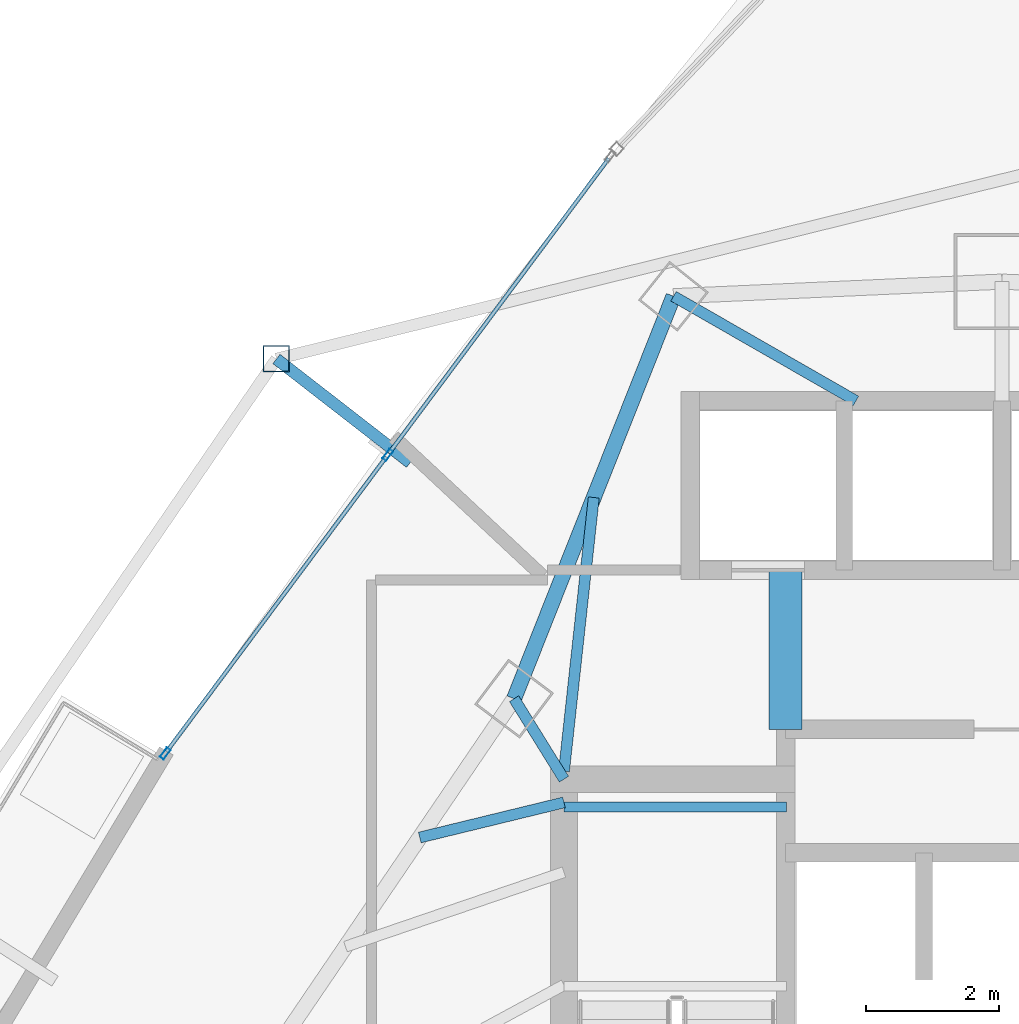
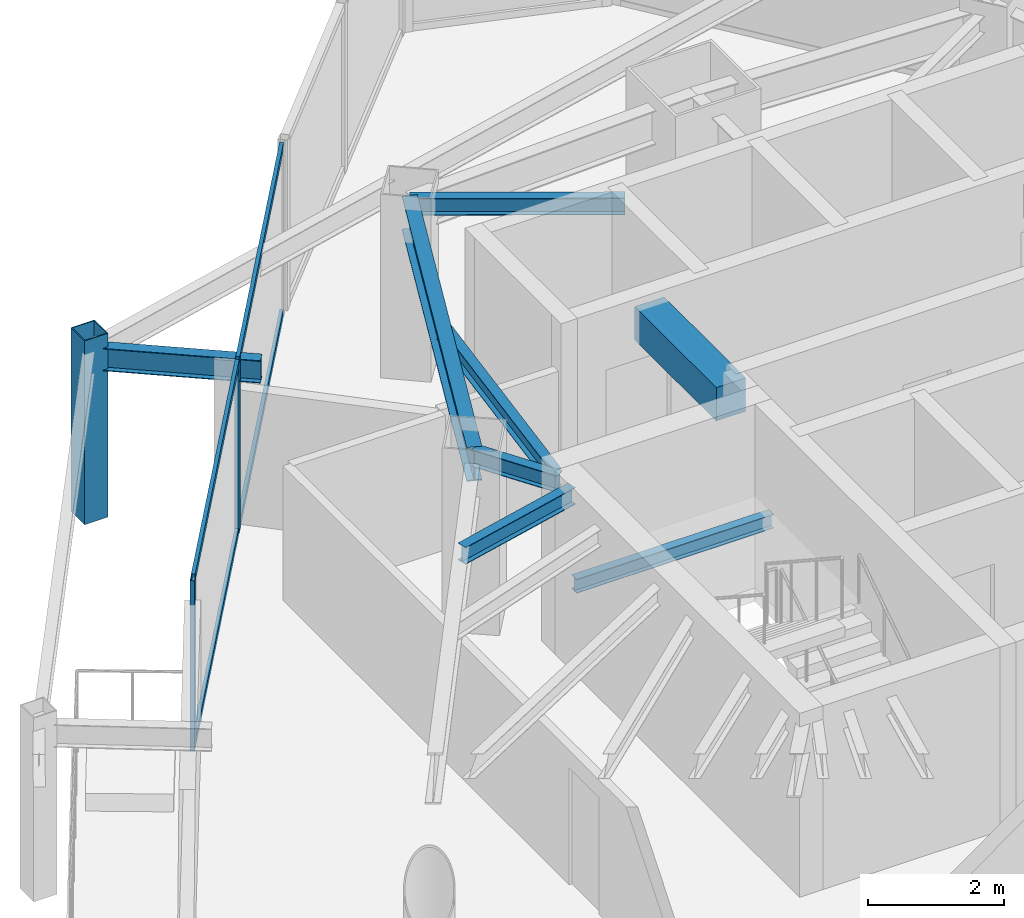
# One storey, part 18 of 30: 8 beams, 7 members, 1 element without a shape of its own.
"""IFC4 building model written with IfcOpenShell, lengths in metres."""

import ifcopenshell
import ifcopenshell.guid

model = None  # the IFC model being written
_history = None  # IfcOwnerHistory: only IFC2X3 demands one
_inside = {}  # id of a spatial element -> (the spatial element, [elements in it])
_under = {}  # id of a project, library or spatial element -> (it, [spatial elements below it])
_declared = {}  # id of a project -> (the project, [libraries it declares])
_typed = {}  # id of a type object -> (the type object, [elements of that type])
_made_of = {}  # id of a material, layer set ... -> (it, [elements and type objects made of it])


def new_model(schema):
    """Start an empty IFC model of exactly this schema.

    Asked for "IFC4X3", IfcOpenShell would pick the latest addendum, in which some entities
    have other attributes; the version numbers below select the first issue.
    IFC2X3 requires an IfcOwnerHistory on every rooted entity: one is made here for all.
    """
    global model, _history
    if schema == "IFC4X3":
        model = ifcopenshell.file(schema_version=(4, 3, 0, 0))
    else:
        model = ifcopenshell.file(schema=schema)
    _inside.clear()
    _under.clear()
    _declared.clear()
    _typed.clear()
    _made_of.clear()
    _history = None
    if model.schema == "IFC2X3":
        org = make("IfcOrganization", Name="unknown")
        user = make(
            "IfcPersonAndOrganization",
            ThePerson=make("IfcPerson", FamilyName="unknown"),
            TheOrganization=org,
        )
        app = make(
            "IfcApplication",
            ApplicationDeveloper=org,
            Version="unknown",
            ApplicationFullName="unknown",
            ApplicationIdentifier="unknown",
        )
        _history = make(
            "IfcOwnerHistory",
            OwningUser=user,
            OwningApplication=app,
            ChangeAction="ADDED",
            CreationDate=0,
        )
    return model


def make(cls, **values):
    """One entity of the class cls with the attributes given. An attribute that is None is left unset."""
    return model.create_entity(
        cls, **{name: value for name, value in values.items() if value is not None}
    )


def rooted(cls, **values):
    """An entity with a GlobalId (a new one), such as an element, a storey or a relation."""
    return make(cls, GlobalId=ifcopenshell.guid.new(), OwnerHistory=_history, **values)


def si_unit(unit_type, name, prefix=None):
    """IfcSIUnit, for example si_unit("LENGTHUNIT", "METRE", prefix="MILLI")."""
    return make("IfcSIUnit", UnitType=unit_type, Prefix=prefix, Name=name)


def assignment(units):
    """IfcUnitAssignment: the units of a project."""
    return None if units is None else make("IfcUnitAssignment", Units=units)


def point(xyz):
    """IfcCartesianPoint."""
    return None if xyz is None else make("IfcCartesianPoint", Coordinates=xyz)


def direction(xyz):
    """IfcDirection."""
    return None if xyz is None else make("IfcDirection", DirectionRatios=xyz)


def frame(location, z_axis=None, x_axis=None):
    """IfcAxis2Placement3D, a coordinate frame: its origin and axes. An axis left out is left unset."""
    return make(
        "IfcAxis2Placement3D",
        Location=point(location),
        Axis=direction(z_axis),
        RefDirection=direction(x_axis),
    )


def frame_2d(location, x_axis=None):
    """IfcAxis2Placement2D, a coordinate frame in the plane: its origin and x axis."""
    return make(
        "IfcAxis2Placement2D", Location=point(location), RefDirection=direction(x_axis)
    )


def origin():
    """The frame at (0, 0, 0) with its axes left unset."""
    return frame((0.0, 0.0, 0.0))


def origin_2d():
    """The frame at (0, 0) in the plane with its x axis left unset."""
    return frame_2d((0.0, 0.0))


def place(relative_to, where):
    """IfcLocalPlacement: puts the frame where relative to a parent placement (None: the world)."""
    return make(
        "IfcLocalPlacement", PlacementRelTo=relative_to, RelativePlacement=where
    )


def context(
    kind, dimensions, precision=None, world=None, true_north=None, identifier=None
):
    """IfcGeometricRepresentationContext, for example the 3D "Model" context."""
    return make(
        "IfcGeometricRepresentationContext",
        ContextIdentifier=identifier,
        ContextType=kind,
        CoordinateSpaceDimension=dimensions,
        Precision=precision,
        WorldCoordinateSystem=world,
        TrueNorth=true_north,
    )


def subcontext(parent, identifier, kind, view, scale=None):
    """IfcGeometricRepresentationSubContext, for example "Body" below "Model"."""
    return make(
        "IfcGeometricRepresentationSubContext",
        ContextIdentifier=identifier,
        ContextType=kind,
        ParentContext=parent,
        TargetScale=scale,
        TargetView=view,
    )


def project(units=None, contexts=None):
    """IfcProject with its units and contexts."""
    return rooted(
        "IfcProject",
        Name="project",
        RepresentationContexts=contexts,
        UnitsInContext=assignment(units),
    )


def spatial(cls, under=None, at=None, **own):
    """A site, building, storey or space (cls), placed at a placement, below another one or the project."""
    s = rooted(cls, ObjectPlacement=at, **own)
    if under is not None:
        _under.setdefault(under.id(), (under, []))[1].append(s)
    return s


def profile(cls, at=None, kind="AREA", **sizes):
    """A parametric profile (cls). Its sizes go by their IFC names, for example OverallWidth=200.0."""
    return make(cls, ProfileType=kind, Position=at, **sizes)


def rectangle(**sizes):
    """IfcRectangleProfileDef."""
    return profile("IfcRectangleProfileDef", **sizes)


def hollow_rectangle(**sizes):
    """IfcRectangleHollowProfileDef."""
    return profile("IfcRectangleHollowProfileDef", **sizes)


def i_section(**sizes):
    """IfcIShapeProfileDef."""
    return profile("IfcIShapeProfileDef", **sizes)


def extrude(swept, where, along, depth):
    """IfcExtrudedAreaSolid: the profile swept, set in the frame where, extruded along a direction by depth."""
    return make(
        "IfcExtrudedAreaSolid",
        SweptArea=swept,
        Position=where,
        ExtrudedDirection=direction(along),
        Depth=depth,
    )


def shape(context_of_items, identifier, shape_type, items):
    """IfcShapeRepresentation: the items that make up one representation, for example the "Body"."""
    return make(
        "IfcShapeRepresentation",
        ContextOfItems=context_of_items,
        RepresentationIdentifier=identifier,
        RepresentationType=shape_type,
        Items=items,
    )


def material(Name=None, Category=None):
    """IfcMaterial."""
    return make("IfcMaterial", Name=Name, Category=Category)


def layer(
    of_material, thickness, ventilated=None, Name=None, Category=None, Priority=None
):
    """IfcMaterialLayer: one layer of a wall or slab, of a material (None: an air gap)."""
    return make(
        "IfcMaterialLayer",
        Material=of_material,
        LayerThickness=thickness,
        IsVentilated=ventilated,
        Name=Name,
        Category=Category,
        Priority=Priority,
    )


def layer_set(layers, Name=None):
    """IfcMaterialLayerSet."""
    return make("IfcMaterialLayerSet", MaterialLayers=layers, LayerSetName=Name)


def material_profile(
    of_material, cross_section, Name=None, Category=None, Priority=None
):
    """IfcMaterialProfile: a cross section and its material."""
    return make(
        "IfcMaterialProfile",
        Name=Name,
        Material=of_material,
        Profile=cross_section,
        Priority=Priority,
        Category=Category,
    )


def profile_set(profiles, Name=None, composite=None):
    """IfcMaterialProfileSet."""
    return make(
        "IfcMaterialProfileSet",
        Name=Name,
        MaterialProfiles=profiles,
        CompositeProfile=composite,
    )


def made_of(thing, what):
    """Note that an element or type object is made of a material, layer set ...; save() writes the relation."""
    if what is not None:
        _made_of.setdefault(what.id(), (what, []))[1].append(thing)
    return thing


def type_object(cls, material=None, **own):
    """A type object (cls), such as IfcWallType, which elements share."""
    return made_of(rooted(cls, **own), material)


def element(
    cls,
    number,
    at=None,
    inside=None,
    cuts=None,
    type_object=None,
    material=None,
    context=None,
    identifier="Body",
    shape_type=None,
    held_by="IfcProductDefinitionShape",
    body=None,
    shapes=None,
    **own,
):
    """One element of the class cls, such as IfcWall. Its Tag is "e" and its number.

    at: its placement. inside: the storey or other place that contains it. cuts: it is an
    opening in that element (IfcRelVoidsElement). A single representation is given by context,
    identifier, shape_type and body (its items); several are given by shapes. held_by: the class
    of the entity that holds the representations. save() writes the other relations.
    """
    e = rooted(cls, Tag="e%d" % number, ObjectPlacement=at, **own)
    if body is not None:
        shapes = [shape(context, identifier, shape_type, body)]
    if shapes is not None:
        e.Representation = make(held_by, Representations=shapes)
    if inside is not None:
        _inside.setdefault(inside.id(), (inside, []))[1].append(e)
    if cuts is not None:
        rooted(
            "IfcRelVoidsElement", RelatingBuildingElement=cuts, RelatedOpeningElement=e
        )
    if type_object is not None:
        _typed.setdefault(type_object.id(), (type_object, []))[1].append(e)
    return made_of(e, material)


def aggregate(whole, parts):
    """IfcRelAggregates: a whole, such as a stair, and the parts it consists of."""
    return rooted("IfcRelAggregates", RelatingObject=whole, RelatedObjects=parts)


def save(model, path):
    """Write the relations noted so far, then the file.

    IfcRelAggregates (storeys below a building ...), IfcRelContainedInSpatialStructure (elements
    in a storey), IfcRelDefinesByType, IfcRelAssociatesMaterial and IfcRelDeclares: one each for
    every whole, place, type object, material and project.
    """
    for whole, parts in _under.values():
        aggregate(whole, parts)
    for where, things in _inside.values():
        rooted(
            "IfcRelContainedInSpatialStructure",
            RelatedElements=things,
            RelatingStructure=where,
        )
    for kind, things in _typed.values():
        rooted("IfcRelDefinesByType", RelatedObjects=things, RelatingType=kind)
    for what, things in _made_of.values():
        rooted("IfcRelAssociatesMaterial", RelatedObjects=things, RelatingMaterial=what)
    for by, libraries in _declared.values():
        rooted("IfcRelDeclares", RelatingContext=by, RelatedDefinitions=libraries)
    model.write(path)


model = new_model("IFC4")

# Units and contexts
model_context = context("Model", 3, precision=1e-05, world=origin(), true_north=direction((0.0, 1.0)))
body_context = subcontext(model_context, "Body", "Model", "MODEL_VIEW")
ifc_project = project(units=[si_unit("LENGTHUNIT", "METRE"), si_unit("AREAUNIT", "SQUARE_METRE"), si_unit("VOLUMEUNIT", "CUBIC_METRE"), si_unit("PLANEANGLEUNIT", "RADIAN"), si_unit("MASSUNIT", "GRAM", prefix="KILO")], contexts=[model_context])

# Site, building, storey
site_placement = place(None, origin())
site = spatial("IfcSite", under=ifc_project, at=site_placement, CompositionType="ELEMENT")
building_placement = place(site_placement, origin())
building = spatial("IfcBuilding", under=site, at=building_placement, Name="Orvanel Arch Residences", CompositionType="ELEMENT")
storey_placement = place(building_placement, frame((0.0, 0.0, 139.699951171875)))
storey = spatial("IfcBuildingStorey", under=building, at=storey_placement, Name="L39", CompositionType="ELEMENT", Elevation=139.699951171875)

# Beams
ifc_material_1 = material(Name="Structural steel AS/NZS 3679.1 Grade 300 (300 MPa)", Category="steel")
ifc_material_profile_1 = material_profile(ifc_material_1, i_section(OverallWidth=0.14599609375, OverallDepth=0.251953125, WebThickness=0.006103515625, FlangeThickness=0.008544921875, at=origin_2d()), Name="250UB31.4")
ifc_profile_set_1 = profile_set([ifc_material_profile_1], Name="Structural steel AS/NZS 3679.1 Grade 300 (300 MPa)")
beam_type_1 = type_object("IfcBeamType", Name="BJ-250UB", PredefinedType="JOIST", material=ifc_profile_set_1)
beam_1_placement = place(storey_placement, frame((26.39990234375, 33.47998046875, 1.323974609375), z_axis=(1.0, 0.0, 0.0), x_axis=(0.0, 1.0, 0.0)))
element("IfcBeam", 1, at=beam_1_placement, inside=storey, type_object=beam_type_1, Name="L39 ST-1 Half-Landing Support Beam 1.2", PredefinedType="JOIST", context=body_context, shape_type="SweptSolid", body=[
    extrude(i_section(OverallWidth=0.14599609375, OverallDepth=0.251953125, WebThickness=0.006103515625, FlangeThickness=0.008544921875, at=origin_2d()), origin(), (0.0, 0.0, 1.0), 3.35009765625),
])
ifc_material_profile_2 = material_profile(ifc_material_1, i_section(OverallWidth=0.1650390625, OverallDepth=0.303955078125, WebThickness=0.006103515625, FlangeThickness=0.01025390625, at=origin_2d()), Name="310UB40.4")
ifc_profile_set_2 = profile_set([ifc_material_profile_2], Name="Structural steel AS/NZS 3679.1 Grade 300 (300 MPa)")
beam_type_2 = type_object("IfcBeamType", Name="BJ-310UB", PredefinedType="JOIST", material=ifc_profile_set_2)
beam_2_placement = place(storey_placement, frame((26.39990234375, 33.89990234375, 2.907958984375), z_axis=(-0.526843290616, 0.84996243866, 0.0), x_axis=(-0.84996243866, -0.526843290616, 0.0)))
element("IfcBeam", 2, at=beam_2_placement, inside=storey, type_object=beam_type_2, Name="L39 NNW Wing Floor Joist", PredefinedType="JOIST", context=body_context, shape_type="SweptSolid", body=[
    extrude(i_section(OverallWidth=0.1650390625, OverallDepth=0.303955078125, WebThickness=0.006103515625, FlangeThickness=0.01025390625, at=origin_2d()), origin(), (0.0, 0.0, 1.0), 1.42724609375),
])
beam_3_placement = place(storey_placement, frame((26.39990234375, 34.02001953125, 2.907958984375), z_axis=(0.108261441852, 0.99412245735, 0.0), x_axis=(-0.99412245735, 0.108261441852, 0.0)))
element("IfcBeam", 3, at=beam_3_placement, inside=storey, type_object=beam_type_2, Name="L39 NNW2 Wing Floor Joist", PredefinedType="JOIST", context=body_context, shape_type="SweptSolid", body=[
    extrude(i_section(OverallWidth=0.1650390625, OverallDepth=0.303955078125, WebThickness=0.006103515625, FlangeThickness=0.01025390625, at=origin_2d()), origin(), (0.0, 0.0, 1.0), 4.1494140625),
])
beam_4_placement = place(storey_placement, frame((30.800048828125, 39.60009765625, 2.907958984375), z_axis=(-0.86736513383, 0.497672306458, 0.0), x_axis=(-0.497672306458, -0.86736513383, 0.0)))
element("IfcBeam", 4, at=beam_4_placement, inside=storey, type_object=beam_type_2, Name="L39 MNW Wing Floor Joist", PredefinedType="JOIST", context=body_context, shape_type="SweptSolid", body=[
    extrude(i_section(OverallWidth=0.1650390625, OverallDepth=0.303955078125, WebThickness=0.006103515625, FlangeThickness=0.01025390625, at=origin_2d()), origin(), (0.0, 0.0, 1.0), 3.17041015625),
])
beam_5_placement = place(storey_placement, frame((26.39990234375, 33.550048828125, 2.907958984375), z_axis=(-0.971638471014, -0.236471312521, 0.0), x_axis=(0.236471312521, -0.971638471014, 0.0)))
element("IfcBeam", 5, at=beam_5_placement, inside=storey, type_object=beam_type_2, Name="L39 JADD3 Wing Floor Joist", PredefinedType="JOIST", context=body_context, shape_type="SweptSolid", body=[
    extrude(i_section(OverallWidth=0.1650390625, OverallDepth=0.303955078125, WebThickness=0.006103515625, FlangeThickness=0.01025390625, at=origin_2d()), origin(), (0.0, 0.0, 1.0), 2.2373046875),
])
ifc_material_2 = material(Name="Concrete S65 (65 MPa)", Category="concrete")
ifc_material_profile_3 = material_profile(ifc_material_2, rectangle(XDim=0.5, YDim=0.60009765625, at=origin_2d()), Name="RC500x600")
ifc_profile_set_3 = profile_set([ifc_material_profile_3], Name="Concrete S65 (65 MPa)")
beam_type_3 = type_object("IfcBeamType", Name="CB-500x600", PredefinedType="LINTEL", material=ifc_profile_set_3)
beam_6_placement = place(storey_placement, frame((29.739990234375, 34.64990234375, 2.760009765625), z_axis=(0.0, 1.0, 0.0), x_axis=(-1.0, 0.0, 0.0)))
element("IfcBeam", 6, at=beam_6_placement, inside=storey, type_object=beam_type_3, Name="L39 West Core Lobby Coupling Lintel Beam", PredefinedType="LINTEL", context=body_context, shape_type="SweptSolid", body=[
    extrude(rectangle(XDim=0.5, YDim=0.60009765625, at=origin_2d()), origin(), (0.0, 0.0, 1.0), 2.400146484375),
])

# Curtain wall, members
ifc_material_3 = material(Name="Bronze-anodised aluminium AA6063-T6", Category="aluminium")
ifc_layer = layer(ifc_material_3, 0.179931640625)
ifc_layer_set = layer_set([ifc_layer], Name="Bronze-anodised aluminium AA6063-T6")
curtain_wall_type = type_object("IfcCurtainWallType", Name="CW3-MID-SYS", PredefinedType="NOTDEFINED", material=ifc_layer_set)
curtain_wall_placement = place(storey_placement, origin())
curtain_wall = element("IfcCurtainWall", 7, at=curtain_wall_placement, inside=storey, type_object=curtain_wall_type, Name="L39 CW3-MID-SYS Unitised Curtain Wall", PredefinedType="NOTDEFINED")
ifc_material_profile_4 = material_profile(ifc_material_3, hollow_rectangle(XDim=0.070068359375, YDim=0.179931640625, WallThickness=0.00439453125, at=origin_2d()), Name="ALU180x70x4.5")
ifc_profile_set_4 = profile_set([ifc_material_profile_4], Name="Bronze-anodised aluminium AA6063-T6")
member_type_1 = type_object("IfcMemberType", Name="MUL-180x70", PredefinedType="MULLION", material=ifc_profile_set_4)
member_1_placement = place(storey_placement, frame((23.743408203125, 38.785400390625, 0.0), z_axis=(0.0, 0.0, 1.0), x_axis=(0.801813762641, -0.597574003819, 0.0)))
member_1 = element("IfcMember", 8, at=member_1_placement, type_object=member_type_1, Name="CW-S3 mullion 2", PredefinedType="MULLION", context=body_context, shape_type="SweptSolid", body=[
    extrude(hollow_rectangle(XDim=0.070068359375, YDim=0.179931640625, WallThickness=0.00439453125, at=origin_2d()), origin(), (0.0, 0.0, 1.0), 3.06005859375),
])
member_2_placement = place(storey_placement, frame((20.390869140625, 34.287109375, 0.0), z_axis=(0.0, 0.0, 1.0), x_axis=(0.801813762641, -0.597574003819, 0.0)))
member_2 = element("IfcMember", 9, at=member_2_placement, type_object=member_type_1, Name="CW-S3 mullion 3", PredefinedType="MULLION", context=body_context, shape_type="SweptSolid", body=[
    extrude(hollow_rectangle(XDim=0.070068359375, YDim=0.179931640625, WallThickness=0.00439453125, at=origin_2d()), origin(), (0.0, 0.0, 1.0), 3.06005859375),
])

# Beams
ifc_material_profile_5 = material_profile(ifc_material_1, i_section(OverallWidth=0.177978515625, OverallDepth=0.406005859375, WebThickness=0.0078125, FlangeThickness=0.0126953125, at=origin_2d()), Name="410UB59.7")
ifc_profile_set_5 = profile_set([ifc_material_profile_5], Name="Structural steel AS/NZS 3679.1 Grade 300 (300 MPa)")
beam_type_4 = type_object("IfcBeamType", Name="OB-410UB-EXT", PredefinedType="SPANDREL", material=ifc_profile_set_5)
beam_7_placement = place(storey_placement, frame((24.0810546875, 38.6689453125, 2.85693359375), z_axis=(-0.78984685797, 0.613304117837, 0.0), x_axis=(-0.613304117837, -0.78984685797, 0.0)))
element("IfcBeam", 10, at=beam_7_placement, inside=storey, type_object=beam_type_4, Name="L39 Outer Frame Radial Tie Beam 01", PredefinedType="SPANDREL", context=body_context, shape_type="SweptSolid", body=[
    extrude(i_section(OverallWidth=0.177978515625, OverallDepth=0.406005859375, WebThickness=0.0078125, FlangeThickness=0.0126953125, at=origin_2d()), origin(), (0.0, 0.0, 1.0), 2.550048828125),
])
ifc_material_profile_6 = material_profile(ifc_material_1, i_section(OverallWidth=0.22900390625, OverallDepth=0.612060546875, WebThickness=0.011962890625, FlangeThickness=0.01953125, at=origin_2d()), Name="610UB125")
ifc_profile_set_6 = profile_set([ifc_material_profile_6], Name="Structural steel AS/NZS 3679.1 Grade 300 (300 MPa)")
beam_type_5 = type_object("IfcBeamType", Name="SP-610UB", PredefinedType="SPANDREL", material=ifc_profile_set_6)
beam_8_placement = place(storey_placement, frame((28.050048828125, 41.177978515625, 2.754150390625), z_axis=(-0.368233143579, -0.929733484376, 0.0), x_axis=(0.929733484376, -0.368233143579, 0.0)))
element("IfcBeam", 11, at=beam_8_placement, inside=storey, type_object=beam_type_5, Name="L39 Perimeter Spandrel Beam 16", PredefinedType="SPANDREL", context=body_context, shape_type="SweptSolid", body=[
    extrude(i_section(OverallWidth=0.22900390625, OverallDepth=0.612060546875, WebThickness=0.011962890625, FlangeThickness=0.01953125, at=origin_2d()), origin(), (0.0, 0.0, 1.0), 6.523193359375),
])

# Member
ifc_material_4 = material(Name="Structural steel AS/NZS 1163 C450L0 (Grade 450)", Category="steel")
ifc_material_profile_7 = material_profile(ifc_material_4, hollow_rectangle(XDim=0.39990234375, YDim=0.39990234375, WallThickness=0.01611328125, at=origin_2d()), Name="SHS400x400x16")
ifc_profile_set_7 = profile_set([ifc_material_profile_7], Name="Structural steel AS/NZS 1163 C450L0 (Grade 450)")
member_type_2 = type_object("IfcMemberType", Name="ST-400SHS-EXT", PredefinedType="STRUT", material=ifc_profile_set_7)
member_3_placement = place(storey_placement, frame((22.06689453125, 40.23291015625, 0.0), z_axis=(0.0, 0.0, 1.0), x_axis=(1.0, 0.0, 0.0)))
element("IfcMember", 12, at=member_3_placement, inside=storey, type_object=member_type_2, Name="L39 Outer Perimeter Frame Post 01", PredefinedType="STRUT", context=body_context, shape_type="SweptSolid", body=[
    extrude(hollow_rectangle(XDim=0.39990234375, YDim=0.39990234375, WallThickness=0.01611328125, at=origin_2d()), origin(), (0.0, 0.0, 1.0), 3.300048828125),
])

ifc_material_profile_8 = material_profile(ifc_material_3, hollow_rectangle(XDim=0.06005859375, YDim=0.135009765625, WallThickness=0.00390625, at=origin_2d()), Name="ALU135x60x4")
ifc_profile_set_8 = profile_set([ifc_material_profile_8], Name="Bronze-anodised aluminium AA6063-T6")
member_type_3 = type_object("IfcMemberType", Name="TRN-135x60", PredefinedType="USERDEFINED", material=ifc_profile_set_8)
member_4_placement = place(storey_placement, frame((27.0751953125, 43.255859375, 0.030029296875), z_axis=(-0.597571878991, -0.801815346223, 0.0), x_axis=(0.801815346223, -0.597571878991, 0.0)))
member_4 = element("IfcMember", 13, at=member_4_placement, type_object=member_type_3, Name="CW-S3 transom 1.1", ObjectType="TRANSOM", PredefinedType="USERDEFINED", context=body_context, shape_type="SweptSolid", body=[
    extrude(hollow_rectangle(XDim=0.06005859375, YDim=0.135009765625, WallThickness=0.00390625, at=origin_2d()), origin(), (0.0, 0.0, 1.0), 5.54052734375),
])

member_5_placement = place(storey_placement, frame((27.0751953125, 43.255859375, 3.030029296875), z_axis=(-0.597571878991, -0.801815346223, 0.0), x_axis=(0.801815346223, -0.597571878991, 0.0)))
member_5 = element("IfcMember", 14, at=member_5_placement, type_object=member_type_3, Name="CW-S3 transom 1.2", ObjectType="TRANSOM", PredefinedType="USERDEFINED", context=body_context, shape_type="SweptSolid", body=[
    extrude(hollow_rectangle(XDim=0.06005859375, YDim=0.135009765625, WallThickness=0.00390625, at=origin_2d()), origin(), (0.0, 0.0, 1.0), 5.54052734375),
])

member_6_placement = place(storey_placement, frame((23.72265625, 38.75732421875, 0.030029296875), z_axis=(-0.597592993163, -0.801799609954, 0.0), x_axis=(0.801799609954, -0.597592993163, 0.0)))
member_6 = element("IfcMember", 15, at=member_6_placement, type_object=member_type_3, Name="CW-S3 transom 2.1", ObjectType="TRANSOM", PredefinedType="USERDEFINED", context=body_context, shape_type="SweptSolid", body=[
    extrude(hollow_rectangle(XDim=0.06005859375, YDim=0.135009765625, WallThickness=0.00390625, at=origin_2d()), origin(), (0.0, 0.0, 1.0), 5.540283203125),
])

member_7_placement = place(storey_placement, frame((23.72265625, 38.75732421875, 3.030029296875), z_axis=(-0.597592993163, -0.801799609954, 0.0), x_axis=(0.801799609954, -0.597592993163, 0.0)))
member_7 = element("IfcMember", 16, at=member_7_placement, type_object=member_type_3, Name="CW-S3 transom 2.2", ObjectType="TRANSOM", PredefinedType="USERDEFINED", context=body_context, shape_type="SweptSolid", body=[
    extrude(hollow_rectangle(XDim=0.06005859375, YDim=0.135009765625, WallThickness=0.00390625, at=origin_2d()), origin(), (0.0, 0.0, 1.0), 5.540283203125),
])

aggregate(curtain_wall, [member_1, member_2, member_4, member_5, member_6, member_7])

save(model, "model.ifc")
